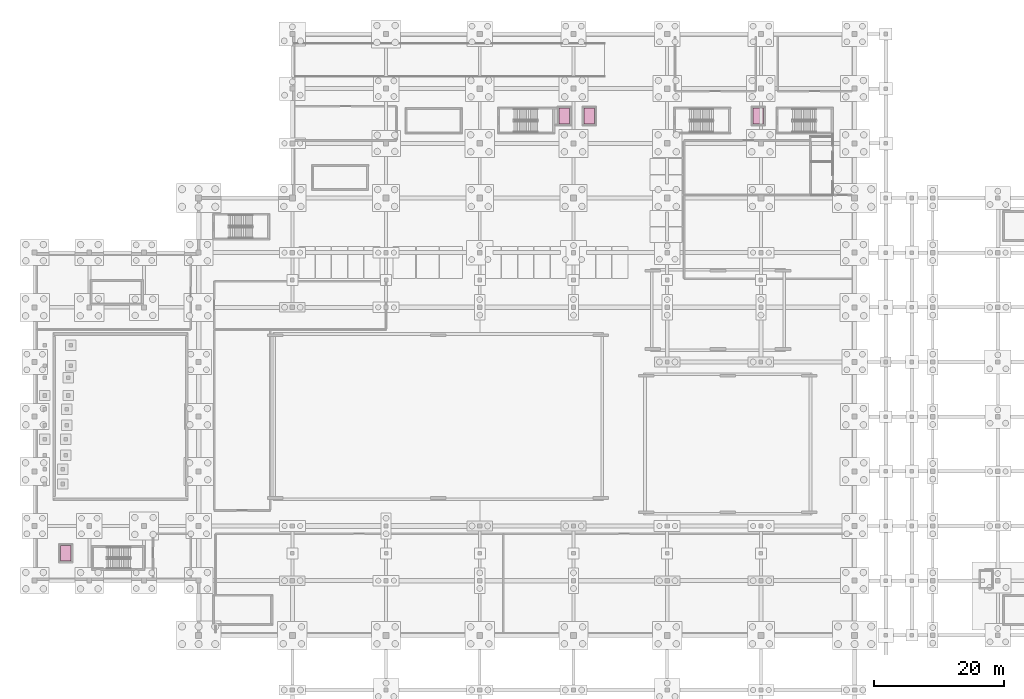
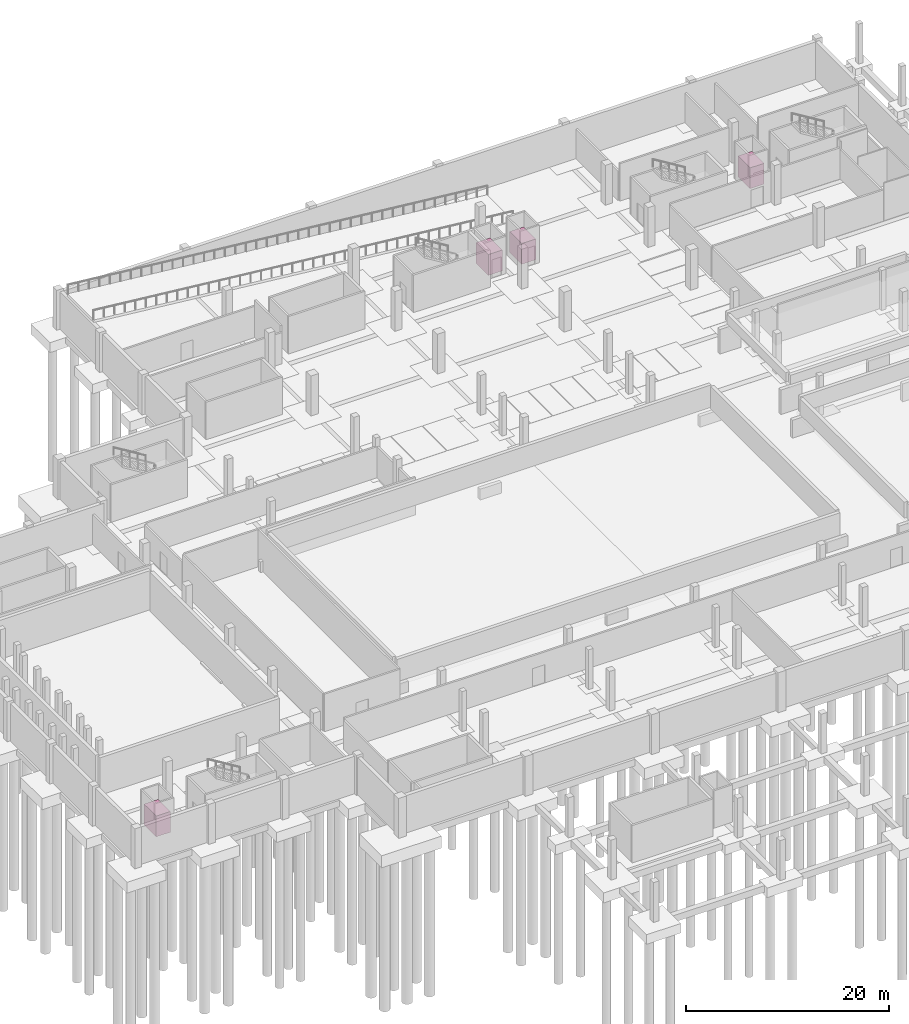
# One storey, part 26 of 26: 4 transport elements.
"""IFC4 building model written with IfcOpenShell, lengths in metres."""

from ifc_helpers import new_model, si_unit, direction, frame, origin, origin_2d, place, context, subcontext, project, spatial, rectangle, extrude, material, type_object, element, save


model = new_model("IFC4")

# Units and contexts
model_context = context("Model", 3, precision=1e-05, world=origin(), true_north=direction((0.0, 1.0)))
body_context = subcontext(model_context, "Body", "Model", "MODEL_VIEW")
ifc_project = project(units=[si_unit("LENGTHUNIT", "METRE"), si_unit("AREAUNIT", "SQUARE_METRE"), si_unit("VOLUMEUNIT", "CUBIC_METRE"), si_unit("PLANEANGLEUNIT", "RADIAN"), si_unit("MASSUNIT", "GRAM", prefix="KILO"), si_unit("THERMODYNAMICTEMPERATUREUNIT", "KELVIN")], contexts=[model_context])

# Site, building, storey
site_placement = place(None, origin())
site = spatial("IfcSite", under=ifc_project, at=site_placement, CompositionType="ELEMENT")
building_placement = place(site_placement, origin())
building = spatial("IfcBuilding", under=site, at=building_placement, Name="Nduvali Passage Aquatics Centre", CompositionType="ELEMENT")
storey_placement = place(building_placement, frame((0.0, 0.0, -4.800048828125)))
storey = spatial("IfcBuildingStorey", under=building, at=storey_placement, Name="B01", CompositionType="ELEMENT", Elevation=-4.800048828125)

# Transport elements
ifc_material = material(Name="Stainless steel lift car", Category="steel")
transport_element_type_1 = type_object("IfcTransportElementType", Name="INT-LFT-L1", PredefinedType="ELEVATOR", material=ifc_material)
transport_element_1_placement = place(storey_placement, frame((81.39990234375, 105.0, 0.27001953125), z_axis=(0.0, 0.0, 1.0), x_axis=(1.0, 0.0, 0.0)))
element("IfcTransportElement", 1, at=transport_element_1_placement, inside=storey, type_object=transport_element_type_1, Name="Passenger and Stretcher Lift L1", PredefinedType="ELEVATOR", context=body_context, shape_type="SweptSolid", body=[
    extrude(rectangle(XDim=1.60009765625, YDim=2.39990234375, at=origin_2d()), origin(), (0.0, 0.0, 1.0), 2.5),
])
transport_element_type_2 = type_object("IfcTransportElementType", Name="INT-LFT-L2", PredefinedType="ELEVATOR", material=ifc_material)
transport_element_2_placement = place(storey_placement, frame((85.199951171875, 105.0, 0.27001953125), z_axis=(0.0, 0.0, 1.0), x_axis=(1.0, 0.0, 0.0)))
element("IfcTransportElement", 2, at=transport_element_2_placement, inside=storey, type_object=transport_element_type_2, Name="Passenger and Stretcher Lift L2", PredefinedType="ELEVATOR", context=body_context, shape_type="SweptSolid", body=[
    extrude(rectangle(XDim=1.60009765625, YDim=2.39990234375, at=origin_2d()), origin(), (0.0, 0.0, 1.0), 2.5),
])
transport_element_type_3 = type_object("IfcTransportElementType", Name="INT-LFT-L3", PredefinedType="ELEVATOR", material=ifc_material)
transport_element_3_placement = place(storey_placement, frame((111.199951171875, 105.0, 0.27001953125), z_axis=(0.0, 0.0, 1.0), x_axis=(1.0, 0.0, 0.0)))
element("IfcTransportElement", 3, at=transport_element_3_placement, inside=storey, type_object=transport_element_type_3, Name="Passenger Lift L3", PredefinedType="ELEVATOR", context=body_context, shape_type="SweptSolid", body=[
    extrude(rectangle(XDim=1.60009765625, YDim=2.39990234375, at=origin_2d()), origin(), (0.0, 0.0, 1.0), 2.5),
])
transport_element_type_4 = type_object("IfcTransportElementType", Name="INT-LFT-L5", PredefinedType="ELEVATOR", material=ifc_material)
transport_element_4_placement = place(storey_placement, frame((4.800048828125, 37.800048828125, 0.27001953125), z_axis=(0.0, 0.0, 1.0), x_axis=(1.0, 0.0, 0.0)))
element("IfcTransportElement", 4, at=transport_element_4_placement, inside=storey, type_object=transport_element_type_4, Name="Diving Pavilion Lift L5", PredefinedType="ELEVATOR", context=body_context, shape_type="SweptSolid", body=[
    extrude(rectangle(XDim=1.60009765625, YDim=2.39990234375, at=origin_2d()), origin(), (0.0, 0.0, 1.0), 2.5),
])

save(model, "model.ifc")
